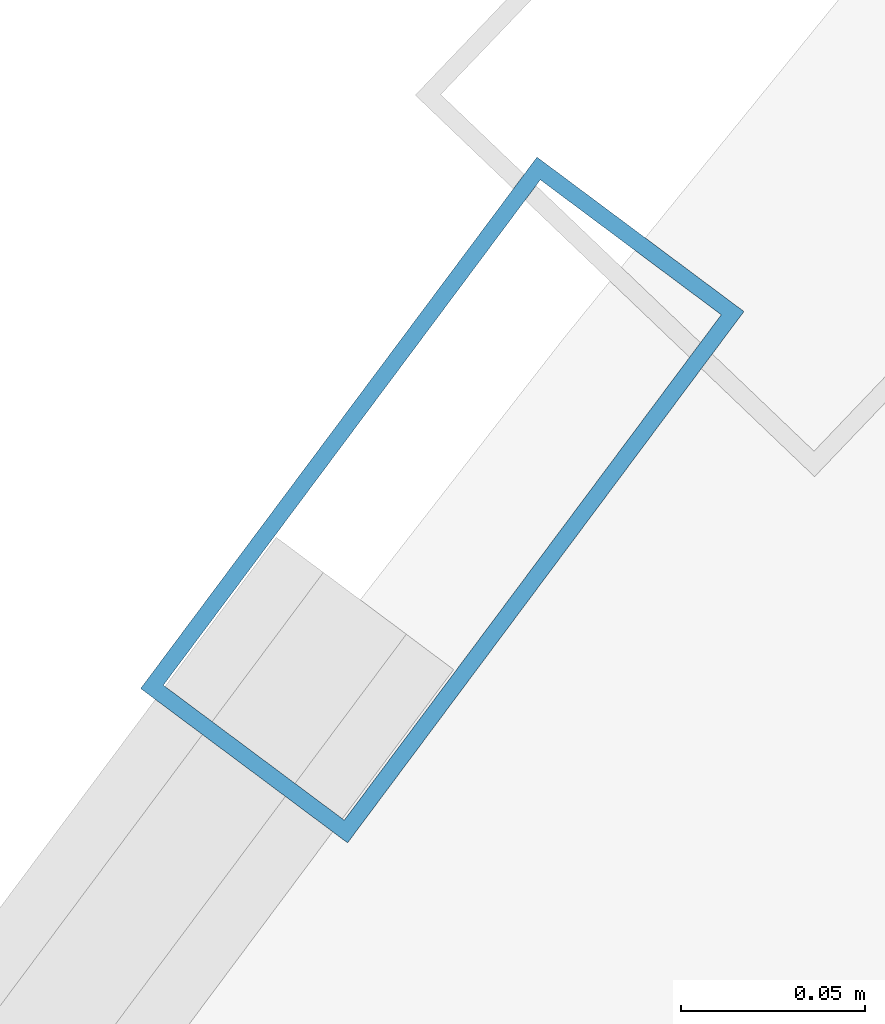
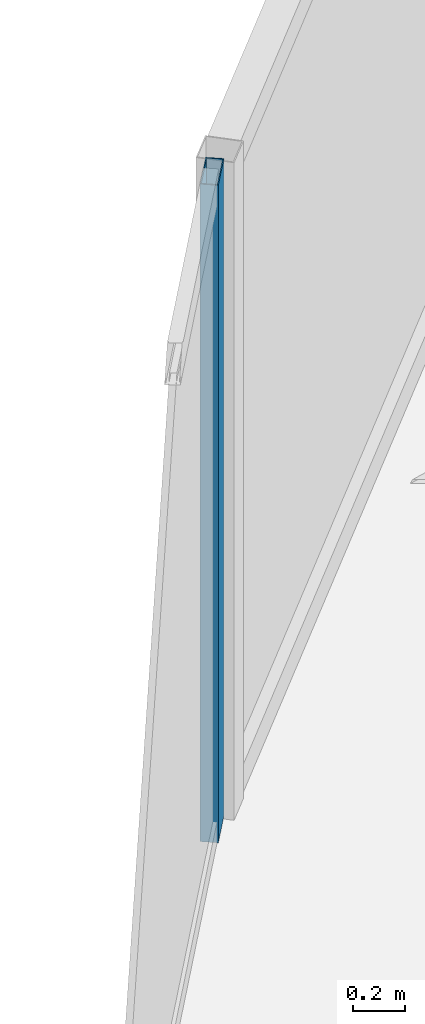
# One storey, part 22 of 31: 1 member, 1 element without a shape of its own.
"""IFC4 building model written with IfcOpenShell, lengths in metres."""

import ifcopenshell
import ifcopenshell.guid

model = None  # the IFC model being written
_history = None  # IfcOwnerHistory: only IFC2X3 demands one
_inside = {}  # id of a spatial element -> (the spatial element, [elements in it])
_under = {}  # id of a project, library or spatial element -> (it, [spatial elements below it])
_declared = {}  # id of a project -> (the project, [libraries it declares])
_typed = {}  # id of a type object -> (the type object, [elements of that type])
_made_of = {}  # id of a material, layer set ... -> (it, [elements and type objects made of it])


def new_model(schema):
    """Start an empty IFC model of exactly this schema.

    Asked for "IFC4X3", IfcOpenShell would pick the latest addendum, in which some entities
    have other attributes; the version numbers below select the first issue.
    IFC2X3 requires an IfcOwnerHistory on every rooted entity: one is made here for all.
    """
    global model, _history
    if schema == "IFC4X3":
        model = ifcopenshell.file(schema_version=(4, 3, 0, 0))
    else:
        model = ifcopenshell.file(schema=schema)
    _inside.clear()
    _under.clear()
    _declared.clear()
    _typed.clear()
    _made_of.clear()
    _history = None
    if model.schema == "IFC2X3":
        org = make("IfcOrganization", Name="unknown")
        user = make(
            "IfcPersonAndOrganization",
            ThePerson=make("IfcPerson", FamilyName="unknown"),
            TheOrganization=org,
        )
        app = make(
            "IfcApplication",
            ApplicationDeveloper=org,
            Version="unknown",
            ApplicationFullName="unknown",
            ApplicationIdentifier="unknown",
        )
        _history = make(
            "IfcOwnerHistory",
            OwningUser=user,
            OwningApplication=app,
            ChangeAction="ADDED",
            CreationDate=0,
        )
    return model


def make(cls, **values):
    """One entity of the class cls with the attributes given. An attribute that is None is left unset."""
    return model.create_entity(
        cls, **{name: value for name, value in values.items() if value is not None}
    )


def rooted(cls, **values):
    """An entity with a GlobalId (a new one), such as an element, a storey or a relation."""
    return make(cls, GlobalId=ifcopenshell.guid.new(), OwnerHistory=_history, **values)


def si_unit(unit_type, name, prefix=None):
    """IfcSIUnit, for example si_unit("LENGTHUNIT", "METRE", prefix="MILLI")."""
    return make("IfcSIUnit", UnitType=unit_type, Prefix=prefix, Name=name)


def assignment(units):
    """IfcUnitAssignment: the units of a project."""
    return None if units is None else make("IfcUnitAssignment", Units=units)


def point(xyz):
    """IfcCartesianPoint."""
    return None if xyz is None else make("IfcCartesianPoint", Coordinates=xyz)


def direction(xyz):
    """IfcDirection."""
    return None if xyz is None else make("IfcDirection", DirectionRatios=xyz)


def frame(location, z_axis=None, x_axis=None):
    """IfcAxis2Placement3D, a coordinate frame: its origin and axes. An axis left out is left unset."""
    return make(
        "IfcAxis2Placement3D",
        Location=point(location),
        Axis=direction(z_axis),
        RefDirection=direction(x_axis),
    )


def frame_2d(location, x_axis=None):
    """IfcAxis2Placement2D, a coordinate frame in the plane: its origin and x axis."""
    return make(
        "IfcAxis2Placement2D", Location=point(location), RefDirection=direction(x_axis)
    )


def origin():
    """The frame at (0, 0, 0) with its axes left unset."""
    return frame((0.0, 0.0, 0.0))


def origin_2d():
    """The frame at (0, 0) in the plane with its x axis left unset."""
    return frame_2d((0.0, 0.0))


def place(relative_to, where):
    """IfcLocalPlacement: puts the frame where relative to a parent placement (None: the world)."""
    return make(
        "IfcLocalPlacement", PlacementRelTo=relative_to, RelativePlacement=where
    )


def context(
    kind, dimensions, precision=None, world=None, true_north=None, identifier=None
):
    """IfcGeometricRepresentationContext, for example the 3D "Model" context."""
    return make(
        "IfcGeometricRepresentationContext",
        ContextIdentifier=identifier,
        ContextType=kind,
        CoordinateSpaceDimension=dimensions,
        Precision=precision,
        WorldCoordinateSystem=world,
        TrueNorth=true_north,
    )


def subcontext(parent, identifier, kind, view, scale=None):
    """IfcGeometricRepresentationSubContext, for example "Body" below "Model"."""
    return make(
        "IfcGeometricRepresentationSubContext",
        ContextIdentifier=identifier,
        ContextType=kind,
        ParentContext=parent,
        TargetScale=scale,
        TargetView=view,
    )


def project(units=None, contexts=None):
    """IfcProject with its units and contexts."""
    return rooted(
        "IfcProject",
        Name="project",
        RepresentationContexts=contexts,
        UnitsInContext=assignment(units),
    )


def spatial(cls, under=None, at=None, **own):
    """A site, building, storey or space (cls), placed at a placement, below another one or the project."""
    s = rooted(cls, ObjectPlacement=at, **own)
    if under is not None:
        _under.setdefault(under.id(), (under, []))[1].append(s)
    return s


def profile(cls, at=None, kind="AREA", **sizes):
    """A parametric profile (cls). Its sizes go by their IFC names, for example OverallWidth=200.0."""
    return make(cls, ProfileType=kind, Position=at, **sizes)


def hollow_rectangle(**sizes):
    """IfcRectangleHollowProfileDef."""
    return profile("IfcRectangleHollowProfileDef", **sizes)


def extrude(swept, where, along, depth):
    """IfcExtrudedAreaSolid: the profile swept, set in the frame where, extruded along a direction by depth."""
    return make(
        "IfcExtrudedAreaSolid",
        SweptArea=swept,
        Position=where,
        ExtrudedDirection=direction(along),
        Depth=depth,
    )


def shape(context_of_items, identifier, shape_type, items):
    """IfcShapeRepresentation: the items that make up one representation, for example the "Body"."""
    return make(
        "IfcShapeRepresentation",
        ContextOfItems=context_of_items,
        RepresentationIdentifier=identifier,
        RepresentationType=shape_type,
        Items=items,
    )


def material(Name=None, Category=None):
    """IfcMaterial."""
    return make("IfcMaterial", Name=Name, Category=Category)


def layer(
    of_material, thickness, ventilated=None, Name=None, Category=None, Priority=None
):
    """IfcMaterialLayer: one layer of a wall or slab, of a material (None: an air gap)."""
    return make(
        "IfcMaterialLayer",
        Material=of_material,
        LayerThickness=thickness,
        IsVentilated=ventilated,
        Name=Name,
        Category=Category,
        Priority=Priority,
    )


def layer_set(layers, Name=None):
    """IfcMaterialLayerSet."""
    return make("IfcMaterialLayerSet", MaterialLayers=layers, LayerSetName=Name)


def material_profile(
    of_material, cross_section, Name=None, Category=None, Priority=None
):
    """IfcMaterialProfile: a cross section and its material."""
    return make(
        "IfcMaterialProfile",
        Name=Name,
        Material=of_material,
        Profile=cross_section,
        Priority=Priority,
        Category=Category,
    )


def profile_set(profiles, Name=None, composite=None):
    """IfcMaterialProfileSet."""
    return make(
        "IfcMaterialProfileSet",
        Name=Name,
        MaterialProfiles=profiles,
        CompositeProfile=composite,
    )


def made_of(thing, what):
    """Note that an element or type object is made of a material, layer set ...; save() writes the relation."""
    if what is not None:
        _made_of.setdefault(what.id(), (what, []))[1].append(thing)
    return thing


def type_object(cls, material=None, **own):
    """A type object (cls), such as IfcWallType, which elements share."""
    return made_of(rooted(cls, **own), material)


def element(
    cls,
    number,
    at=None,
    inside=None,
    cuts=None,
    type_object=None,
    material=None,
    context=None,
    identifier="Body",
    shape_type=None,
    held_by="IfcProductDefinitionShape",
    body=None,
    shapes=None,
    **own,
):
    """One element of the class cls, such as IfcWall. Its Tag is "e" and its number.

    at: its placement. inside: the storey or other place that contains it. cuts: it is an
    opening in that element (IfcRelVoidsElement). A single representation is given by context,
    identifier, shape_type and body (its items); several are given by shapes. held_by: the class
    of the entity that holds the representations. save() writes the other relations.
    """
    e = rooted(cls, Tag="e%d" % number, ObjectPlacement=at, **own)
    if body is not None:
        shapes = [shape(context, identifier, shape_type, body)]
    if shapes is not None:
        e.Representation = make(held_by, Representations=shapes)
    if inside is not None:
        _inside.setdefault(inside.id(), (inside, []))[1].append(e)
    if cuts is not None:
        rooted(
            "IfcRelVoidsElement", RelatingBuildingElement=cuts, RelatedOpeningElement=e
        )
    if type_object is not None:
        _typed.setdefault(type_object.id(), (type_object, []))[1].append(e)
    return made_of(e, material)


def aggregate(whole, parts):
    """IfcRelAggregates: a whole, such as a stair, and the parts it consists of."""
    return rooted("IfcRelAggregates", RelatingObject=whole, RelatedObjects=parts)


def save(model, path):
    """Write the relations noted so far, then the file.

    IfcRelAggregates (storeys below a building ...), IfcRelContainedInSpatialStructure (elements
    in a storey), IfcRelDefinesByType, IfcRelAssociatesMaterial and IfcRelDeclares: one each for
    every whole, place, type object, material and project.
    """
    for whole, parts in _under.values():
        aggregate(whole, parts)
    for where, things in _inside.values():
        rooted(
            "IfcRelContainedInSpatialStructure",
            RelatedElements=things,
            RelatingStructure=where,
        )
    for kind, things in _typed.values():
        rooted("IfcRelDefinesByType", RelatedObjects=things, RelatingType=kind)
    for what, things in _made_of.values():
        rooted("IfcRelAssociatesMaterial", RelatedObjects=things, RelatingMaterial=what)
    for by, libraries in _declared.values():
        rooted("IfcRelDeclares", RelatingContext=by, RelatedDefinitions=libraries)
    model.write(path)


model = new_model("IFC4")

# Units and contexts
model_context = context("Model", 3, precision=1e-05, world=origin(), true_north=direction((0.0, 1.0)))
body_context = subcontext(model_context, "Body", "Model", "MODEL_VIEW")
ifc_project = project(units=[si_unit("LENGTHUNIT", "METRE"), si_unit("AREAUNIT", "SQUARE_METRE"), si_unit("VOLUMEUNIT", "CUBIC_METRE"), si_unit("PLANEANGLEUNIT", "RADIAN"), si_unit("MASSUNIT", "GRAM", prefix="KILO")], contexts=[model_context])

# Site, building, storey
site_placement = place(None, origin())
site = spatial("IfcSite", under=ifc_project, at=site_placement, CompositionType="ELEMENT")
building_placement = place(site_placement, origin())
building = spatial("IfcBuilding", under=site, at=building_placement, Name="Orvanel Arch Residences", CompositionType="ELEMENT")
storey_placement = place(building_placement, frame((0.0, 0.0, 150.64990234375)))
storey = spatial("IfcBuildingStorey", under=building, at=storey_placement, Name="L42", CompositionType="ELEMENT", Elevation=150.64990234375)

# Curtain wall, member
ifc_material = material(Name="Bronze-anodised aluminium AA6063-T6", Category="aluminium")
ifc_layer = layer(ifc_material, 0.179931640625)
ifc_layer_set = layer_set([ifc_layer], Name="Bronze-anodised aluminium AA6063-T6")
curtain_wall_type = type_object("IfcCurtainWallType", Name="CW3-MID-SYS", PredefinedType="NOTDEFINED", material=ifc_layer_set)
curtain_wall_placement = place(storey_placement, origin())
curtain_wall = element("IfcCurtainWall", 1, at=curtain_wall_placement, inside=storey, type_object=curtain_wall_type, Name="L42 CW3-MID-SYS Unitised Curtain Wall", PredefinedType="NOTDEFINED")
ifc_material_profile = material_profile(ifc_material, hollow_rectangle(XDim=0.070068359375, YDim=0.179931640625, WallThickness=0.00439453125, at=origin_2d()), Name="ALU180x70x4.5")
ifc_profile_set = profile_set([ifc_material_profile], Name="Bronze-anodised aluminium AA6063-T6")
member_type = type_object("IfcMemberType", Name="MUL-180x70", PredefinedType="MULLION", material=ifc_profile_set)
member_placement = place(storey_placement, frame((27.1611328125, 42.824951171875, 0.0), z_axis=(0.0, 0.0, 1.0), x_axis=(0.801562009751, -0.597911652775, 0.0)))
member = element("IfcMember", 2, at=member_placement, type_object=member_type, Name="CW-S3 mullion 1", PredefinedType="MULLION", context=body_context, shape_type="SweptSolid", body=[
    extrude(hollow_rectangle(XDim=0.070068359375, YDim=0.179931640625, WallThickness=0.00439453125, at=origin_2d()), origin(), (0.0, 0.0, 1.0), 3.06005859375),
])
aggregate(curtain_wall, [member])

save(model, "model.ifc")
